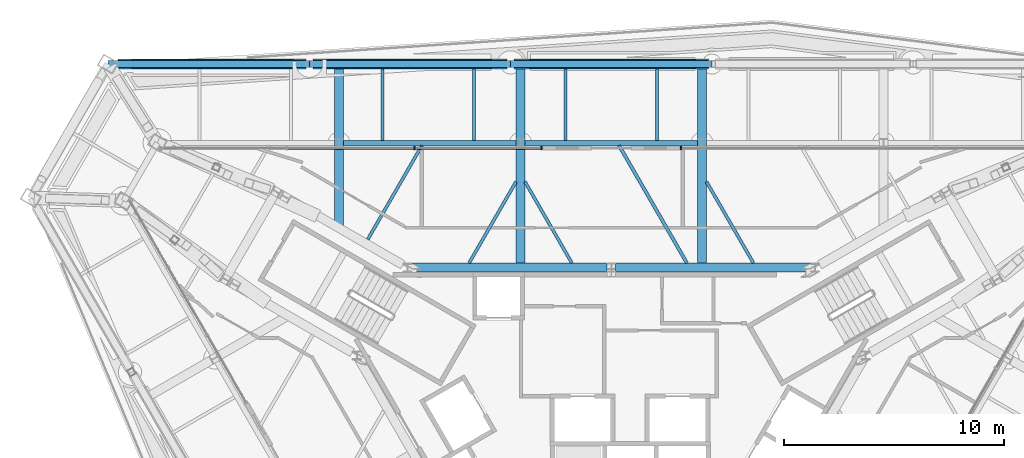
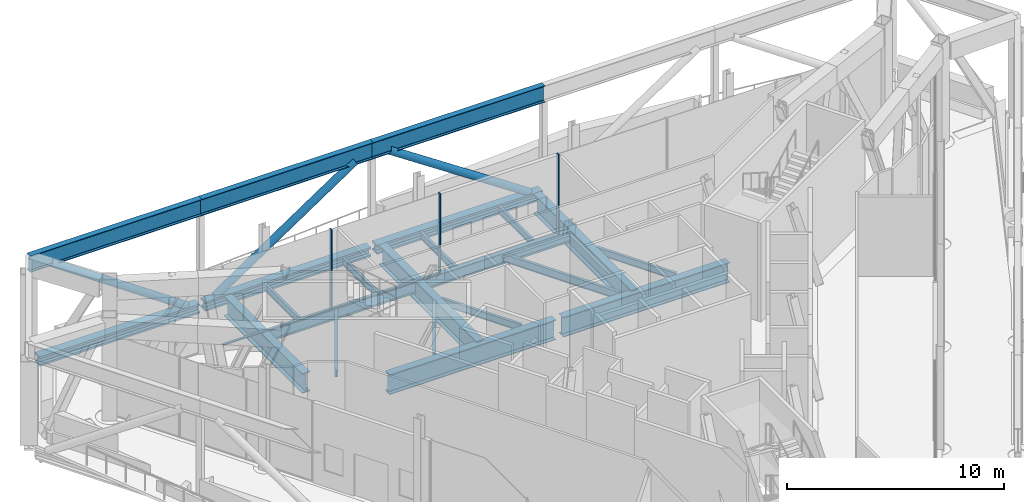
# One storey, part 11 of 25: 22 beams, 8 members, 2 elements without a shape of their own.
"""IFC4 building model written with IfcOpenShell, lengths in metres."""

from ifc_helpers import new_model, si_unit, direction, frame, origin, origin_2d, place, context, subcontext, project, spatial, rectangle, hollow_circle, i_section, extrude, material, material_profile, profile_set, type_object, element, aggregate, save


model = new_model("IFC4")

# Units and contexts
model_context = context("Model", 3, precision=1e-05, world=origin(), true_north=direction((0.0, 1.0)))
body_context = subcontext(model_context, "Body", "Model", "MODEL_VIEW")
ifc_project = project(units=[si_unit("LENGTHUNIT", "METRE"), si_unit("AREAUNIT", "SQUARE_METRE"), si_unit("VOLUMEUNIT", "CUBIC_METRE"), si_unit("PLANEANGLEUNIT", "RADIAN"), si_unit("MASSUNIT", "GRAM", prefix="KILO")], contexts=[model_context])

# Site, building, storey
site_placement = place(None, origin())
site = spatial("IfcSite", under=ifc_project, at=site_placement, CompositionType="ELEMENT")
building_placement = place(site_placement, origin())
building = spatial("IfcBuilding", under=site, at=building_placement, Name="Verrane Prism Tower", CompositionType="ELEMENT")
storey_placement = place(building_placement, frame((0.0, 0.0, 258.199951171875)))
storey = spatial("IfcBuildingStorey", under=building, at=storey_placement, Name="L65", CompositionType="ELEMENT", Elevation=258.199951171875)

# Beams
ifc_material_1 = material(Name="Steel A992", Category="steel")
ifc_material_profile_1 = material_profile(ifc_material_1, i_section(OverallWidth=0.44189453125, OverallDepth=0.53076171875, WebThickness=0.06591796875, FlangeThickness=0.105712890625, FilletRadius=0.01513671875, at=origin_2d()), Name="W14x605")
ifc_profile_set_1 = profile_set([ifc_material_profile_1], Name="Steel A992")
beam_type_1 = type_object("IfcBeamType", Name="Belt truss chord W14x605", PredefinedType="BEAM", material=ifc_profile_set_1)
beam_1_placement = place(storey_placement, frame((4.41748046875, 17.22998046875, -0.424560546875), z_axis=(-1.0, 0.0, 0.0), x_axis=(0.0, -1.0, 0.0)))
element("IfcBeam", 1, at=beam_1_placement, inside=storey, type_object=beam_type_1, Name="Belt truss chord L65", PredefinedType="BEAM", context=body_context, shape_type="SweptSolid", body=[
    extrude(i_section(OverallWidth=0.44189453125, OverallDepth=0.53076171875, WebThickness=0.06591796875, FlangeThickness=0.105712890625, FilletRadius=0.01513671875, at=origin_2d()), origin(), (0.0, 0.0, 1.0), 8.8349609375),
])
beam_2_placement = place(storey_placement, frame((-4.722412109375, 17.22998046875, -0.424560546875), z_axis=(-1.0, 0.0, 0.0), x_axis=(0.0, -1.0, 0.0)))
element("IfcBeam", 2, at=beam_2_placement, inside=storey, type_object=beam_type_1, Name="Belt truss chord L65", PredefinedType="BEAM", context=body_context, shape_type="SweptSolid", body=[
    extrude(i_section(OverallWidth=0.44189453125, OverallDepth=0.53076171875, WebThickness=0.06591796875, FlangeThickness=0.105712890625, FilletRadius=0.01513671875, at=origin_2d()), origin(), (0.0, 0.0, 1.0), 8.8251953125),
])
beam_3_placement = place(storey_placement, frame((-13.852294921875, 17.22998046875, -0.424560546875), z_axis=(-1.0, 0.0, 0.0), x_axis=(0.0, -1.0, 0.0)))
element("IfcBeam", 3, at=beam_3_placement, inside=storey, type_object=beam_type_1, Name="Belt truss chord L65", PredefinedType="BEAM", context=body_context, shape_type="SweptSolid", body=[
    extrude(i_section(OverallWidth=0.44189453125, OverallDepth=0.53076171875, WebThickness=0.06591796875, FlangeThickness=0.105712890625, FilletRadius=0.01513671875, at=origin_2d()), origin(), (0.0, 0.0, 1.0), 8.52587890625),
])
ifc_material_2 = material(Name="Steel A992", Category="steel")
ifc_material_profile_2 = material_profile(ifc_material_2, i_section(OverallWidth=0.307373046875, OverallDepth=0.927001953125, WebThickness=0.01953125, FlangeThickness=0.031982421875, FilletRadius=0.01904296875, at=origin_2d()), Name="W36x194")
ifc_profile_set_2 = profile_set([ifc_material_profile_2], Name="Steel A992")
beam_type_2 = type_object("IfcBeamType", Name="Belt truss chord W36x194", PredefinedType="BEAM", material=ifc_profile_set_2)
beam_4_placement = place(storey_placement, frame((4.570068359375, 17.22998046875, 5.176513671875), z_axis=(-1.0, 0.0, 0.0), x_axis=(0.0, -1.0, 0.0)))
element("IfcBeam", 4, at=beam_4_placement, inside=storey, type_object=beam_type_2, Name="Belt truss chord L65", PredefinedType="BEAM", context=body_context, shape_type="SweptSolid", body=[
    extrude(i_section(OverallWidth=0.307373046875, OverallDepth=0.927001953125, WebThickness=0.01953125, FlangeThickness=0.031982421875, FilletRadius=0.01904296875, at=origin_2d()), origin(), (0.0, 0.0, 1.0), 9.14013671875),
])
beam_5_placement = place(storey_placement, frame((-4.570068359375, 17.22998046875, 5.176513671875), z_axis=(-1.0, 0.0, 0.0), x_axis=(0.0, -1.0, 0.0)))
element("IfcBeam", 5, at=beam_5_placement, inside=storey, type_object=beam_type_2, Name="Belt truss chord L65", PredefinedType="BEAM", context=body_context, shape_type="SweptSolid", body=[
    extrude(i_section(OverallWidth=0.307373046875, OverallDepth=0.927001953125, WebThickness=0.01953125, FlangeThickness=0.031982421875, FilletRadius=0.01904296875, at=origin_2d()), origin(), (0.0, 0.0, 1.0), 9.1298828125),
])
beam_6_placement = place(storey_placement, frame((-13.699951171875, 17.22998046875, 5.176513671875), z_axis=(-1.0, 0.0, 0.0), x_axis=(0.0, -1.0, 0.0)))
element("IfcBeam", 6, at=beam_6_placement, inside=storey, type_object=beam_type_2, Name="Belt truss chord L65", PredefinedType="BEAM", context=body_context, shape_type="SweptSolid", body=[
    extrude(i_section(OverallWidth=0.307373046875, OverallDepth=0.927001953125, WebThickness=0.01953125, FlangeThickness=0.031982421875, FilletRadius=0.01904296875, at=origin_2d()), origin(), (0.0, 0.0, 1.0), 9.14013671875),
])

# Members
ifc_material_3 = material(Name="Steel A500 Grade C", Category="steel")
ifc_material_profile_3 = material_profile(ifc_material_3, hollow_circle(Radius=0.203125, WallThickness=0.0126953125, at=origin_2d()), Name="HSS16.000x0.500")
ifc_profile_set_3 = profile_set([ifc_material_profile_3], Name="Steel A500 Grade C")
member_type_1 = type_object("IfcMemberType", Name="Belt truss diagonal HSS16.000x0.500", PredefinedType="BRACE", material=ifc_profile_set_3)
member_1_placement = place(storey_placement, frame((3.796875, 17.22998046875, -0.158935546875), z_axis=(-0.831673706035, 0.0, 0.555264663642), x_axis=(0.0, -1.0, 0.0)))
element("IfcMember", 7, at=member_1_placement, inside=storey, type_object=member_type_1, Name="Belt truss diagonal L65", PredefinedType="BRACE", context=body_context, shape_type="SweptSolid", body=[
    extrude(hollow_circle(Radius=0.203125, WallThickness=0.0126953125, at=origin_2d()), origin(), (0.0, 0.0, 1.0), 8.98095703125),
])
member_2_placement = place(storey_placement, frame((-12.92724609375, 17.22998046875, -0.158935546875), z_axis=(0.831363204579, 0.0, 0.555729450428), x_axis=(0.0, 1.0, 0.0)))
element("IfcMember", 8, at=member_2_placement, inside=storey, type_object=member_type_1, Name="Belt truss diagonal L65", PredefinedType="BRACE", context=body_context, shape_type="SweptSolid", body=[
    extrude(hollow_circle(Radius=0.203125, WallThickness=0.0126953125, at=origin_2d()), origin(), (0.0, 0.0, 1.0), 8.973388671875),
])
member_3_placement = place(storey_placement, frame((-14.46142578125, 17.22998046875, -0.158935546875), z_axis=(-0.823867815872, 0.0, 0.566781988043), x_axis=(0.0, -1.0, 0.0)))
element("IfcMember", 9, at=member_3_placement, inside=storey, type_object=member_type_1, Name="Belt truss diagonal L65", PredefinedType="BRACE", context=body_context, shape_type="SweptSolid", body=[
    extrude(hollow_circle(Radius=0.203125, WallThickness=0.0126953125, at=origin_2d()), origin(), (0.0, 0.0, 1.0), 8.798583984375),
])

# Beams
ifc_material_4 = material(Name="Steel A992", Category="steel")
ifc_material_profile_4 = material_profile(ifc_material_4, i_section(OverallWidth=0.140380859375, OverallDepth=0.40380859375, WebThickness=0.007080078125, FlangeThickness=0.01123046875, FilletRadius=0.01025390625, at=origin_2d()), Name="W16x31")
ifc_profile_set_4 = profile_set([ifc_material_profile_4], Name="Steel A992")
beam_type_3 = type_object("IfcBeamType", Name="Floor beam W16x31", PredefinedType="BEAM", material=ifc_profile_set_4)
for number, where, z_axis, x_axis, name in (
    (10, (2.076416015625, 13.764892578125, -0.36181640625), (0.0, 1.0, 0.0), (-1.0, 0.0, 0.0), "Floor beam L65"),
    (11, (-2.076416015625, 13.764892578125, -0.36181640625), (0.0, 1.0, 0.0), (-1.0, 0.0, 0.0), "Floor beam L65"),
    (12, (-6.22900390625, 13.764892578125, -0.36181640625), (0.0, 1.0, 0.0), (-1.0, 0.0, 0.0), "Floor beam L65"),
    (13, (-10.3818359375, 13.764892578125, -0.36181640625), (0.0, 1.0, 0.0), (-1.0, 0.0, 0.0), "Floor beam L65"),
):
    element("IfcBeam", number, at=place(storey_placement, frame(where, z_axis=z_axis, x_axis=x_axis)), inside=storey, type_object=beam_type_3, Name=name, PredefinedType="BEAM", context=body_context, shape_type="SweptSolid", body=[
        extrude(i_section(OverallWidth=0.140380859375, OverallDepth=0.40380859375, WebThickness=0.007080078125, FlangeThickness=0.01123046875, FilletRadius=0.01025390625, at=origin_2d()), origin(), (0.0, 0.0, 1.0), 3.244140625),
    ])
for number, where, z_axis, x_axis, name in (
    (14, (6.45166015625, 8.201904296875, -0.36181640625), (-0.499967219171, 0.866044328978, 0.0), (-0.866044328978, -0.499967219171, 0.0), "Floor beam L65"),
    (15, (-1.788330078125, 8.201904296875, -0.36181640625), (-0.499967219171, 0.866044328978, 0.0), (-0.866044328978, -0.499967219171, 0.0), "Floor beam L65"),
    (16, (-6.45166015625, 8.201904296875, -0.36181640625), (0.499967219171, 0.866044328978, 0.0), (-0.866044328978, 0.499967219171, 0.0), "Floor beam L65"),
):
    element("IfcBeam", number, at=place(storey_placement, frame(where, z_axis=z_axis, x_axis=x_axis)), inside=storey, type_object=beam_type_3, Name=name, PredefinedType="BEAM", context=body_context, shape_type="SweptSolid", body=[
        extrude(i_section(OverallWidth=0.140380859375, OverallDepth=0.40380859375, WebThickness=0.007080078125, FlangeThickness=0.01123046875, FilletRadius=0.01025390625, at=origin_2d()), origin(), (0.0, 0.0, 1.0), 4.259521484375),
    ])
beam_7_placement = place(storey_placement, frame((-11.054931640625, 9.269775390625, -0.36181640625), z_axis=(0.500025682568, 0.866010575439, 0.0), x_axis=(-0.866010575439, 0.500025682568, 0.0)))
element("IfcBeam", 17, at=beam_7_placement, inside=storey, type_object=beam_type_3, Name="Floor beam L65", PredefinedType="BEAM", context=body_context, shape_type="SweptSolid", body=[
    extrude(i_section(OverallWidth=0.140380859375, OverallDepth=0.40380859375, WebThickness=0.007080078125, FlangeThickness=0.01123046875, FilletRadius=0.01025390625, at=origin_2d()), origin(), (0.0, 0.0, 1.0), 4.925048828125),
])
ifc_material_5 = material(Name="Steel A992", Category="steel")
ifc_material_profile_5 = material_profile(ifc_material_5, i_section(OverallWidth=0.15234375, OverallDepth=0.449462890625, WebThickness=0.007568359375, FlangeThickness=0.0107421875, FilletRadius=0.01025390625, at=origin_2d()), Name="W18x35")
ifc_profile_set_5 = profile_set([ifc_material_profile_5], Name="Steel A992")
beam_type_4 = type_object("IfcBeamType", Name="Floor beam W18x35", PredefinedType="BEAM", material=ifc_profile_set_5)
beam_8_placement = place(storey_placement, frame((3.431396484375, 8.201904296875, -0.384765625), z_axis=(-0.500010725686, 0.866019211218, 0.0), x_axis=(-0.866019211218, -0.500010725686, 0.0)))
element("IfcBeam", 18, at=beam_8_placement, inside=storey, type_object=beam_type_4, Name="Floor beam L65", PredefinedType="BEAM", context=body_context, shape_type="SweptSolid", body=[
    extrude(i_section(OverallWidth=0.15234375, OverallDepth=0.449462890625, WebThickness=0.007568359375, FlangeThickness=0.0107421875, FilletRadius=0.01025390625, at=origin_2d()), origin(), (0.0, 0.0, 1.0), 6.157958984375),
])

# Curtain wall, member
ifc_material_6 = material(Name="Aluminium framed insulated glazing", Category="aluminium")
curtain_wall_type = type_object("IfcCurtainWallType", Name="Curtain wall CW-B 5600 module", PredefinedType="NOTDEFINED", material=ifc_material_6)
curtain_wall_1_placement = place(storey_placement, origin())
curtain_wall_1 = element("IfcCurtainWall", 19, at=curtain_wall_1_placement, inside=storey, type_object=curtain_wall_type, Name="Refuge lounge glazing north face L65 1", PredefinedType="NOTDEFINED")
ifc_material_7 = material(Name="Aluminium alloy 6063-T6", Category="aluminium")
ifc_material_profile_6 = material_profile(ifc_material_7, rectangle(XDim=0.159912109375, YDim=0.06005859375, at=origin_2d()), Name="Mullion 60x160 aluminium")
ifc_profile_set_6 = profile_set([ifc_material_profile_6], Name="Aluminium alloy 6063-T6")
member_type_2 = type_object("IfcMemberType", Name="Mullion 60x160 aluminium", PredefinedType="MULLION", material=ifc_profile_set_6)
member_4_placement = place(storey_placement, frame((3.159912109375, 13.421875, 0.0), z_axis=(0.0, 0.0, 1.0), x_axis=(0.0, -1.0, 0.0)))
member_4 = element("IfcMember", 20, at=member_4_placement, type_object=member_type_2, Name="CW65.2.1 mullion 4", PredefinedType="MULLION", context=body_context, shape_type="SweptSolid", body=[
    extrude(rectangle(XDim=0.159912109375, YDim=0.06005859375, at=origin_2d()), origin(), (0.0, 0.0, 1.0), 4.5224609375),
])
aggregate(curtain_wall_1, [member_4])

# Curtain wall, members
curtain_wall_2_placement = place(storey_placement, origin())
curtain_wall_2 = element("IfcCurtainWall", 21, at=curtain_wall_2_placement, inside=storey, type_object=curtain_wall_type, Name="Refuge lounge glazing north face L65 2", PredefinedType="NOTDEFINED")
member_5_placement = place(storey_placement, frame((-3.159912109375, 13.421875, 0.0), z_axis=(0.0, 0.0, 1.0), x_axis=(0.0, -1.0, 0.0)))
member_5 = element("IfcMember", 22, at=member_5_placement, type_object=member_type_2, Name="CW65.2.2 mullion 1", PredefinedType="MULLION", context=body_context, shape_type="SweptSolid", body=[
    extrude(rectangle(XDim=0.159912109375, YDim=0.06005859375, at=origin_2d()), origin(), (0.0, 0.0, 1.0), 4.5224609375),
])
member_6_placement = place(storey_placement, frame((-8.930419921875, 13.421875, 0.0), z_axis=(0.0, 0.0, 1.0), x_axis=(0.0, -1.0, 0.0)))
member_6 = element("IfcMember", 23, at=member_6_placement, type_object=member_type_2, Name="CW65.2.2 mullion 2", PredefinedType="MULLION", context=body_context, shape_type="SweptSolid", body=[
    extrude(rectangle(XDim=0.159912109375, YDim=0.06005859375, at=origin_2d()), origin(), (0.0, 0.0, 1.0), 4.5224609375),
])

# Beams
ifc_material_8 = material(Name="Steel A992", Category="steel")
ifc_material_profile_7 = material_profile(ifc_material_8, i_section(OverallWidth=0.23046875, OverallDepth=0.6171875, WebThickness=0.01318359375, FlangeThickness=0.022216796875, FilletRadius=0.012939453125, at=origin_2d()), Name="W24x94")
ifc_profile_set_7 = profile_set([ifc_material_profile_7], Name="Steel A992")
beam_type_5 = type_object("IfcBeamType", Name="Spandrel beam W24x94", PredefinedType="SPANDREL", material=ifc_profile_set_7)
for number, where, z_axis, x_axis, name in (
    (24, (3.923095703125, 13.64990234375, -0.468505859375), (-1.0, 0.0, 0.0), (0.0, -1.0, 0.0), "Spandrel beam L65"),
    (25, (-4.31689453125, 13.64990234375, -0.468505859375), (-1.0, 0.0, 0.0), (0.0, -1.0, 0.0), "Spandrel beam L65"),
):
    element("IfcBeam", number, at=place(storey_placement, frame(where, z_axis=z_axis, x_axis=x_axis)), inside=storey, type_object=beam_type_5, Name=name, PredefinedType="SPANDREL", context=body_context, shape_type="SweptSolid", body=[
        extrude(i_section(OverallWidth=0.23046875, OverallDepth=0.6171875, WebThickness=0.01318359375, FlangeThickness=0.022216796875, FilletRadius=0.012939453125, at=origin_2d()), origin(), (0.0, 0.0, 1.0), 7.84619140625),
    ])
ifc_material_9 = material(Name="Steel A992", Category="steel")
ifc_material_profile_8 = material_profile(ifc_material_9, i_section(OverallWidth=0.40380859375, OverallDepth=1.11767578125, WebThickness=0.026123046875, FlangeThickness=0.044921875, FilletRadius=0.02001953125, at=origin_2d()), Name="W44x335")
ifc_profile_set_8 = profile_set([ifc_material_profile_8], Name="Steel A992")
beam_type_6 = type_object("IfcBeamType", Name="Transfer girder W44x335", PredefinedType="BEAM", material=ifc_profile_set_8)
for number, where, z_axis, x_axis, name in (
    (26, (9.060546875, 8.0, -0.808837890625), (-1.0, 0.0, 0.0), (0.0, -1.0, 0.0), "Transfer girder L65"),
    (27, (-0.199462890625, 8.0, -0.808837890625), (-1.0, 0.0, 0.0), (0.0, -1.0, 0.0), "Transfer girder L65"),
):
    element("IfcBeam", number, at=place(storey_placement, frame(where, z_axis=z_axis, x_axis=x_axis)), inside=storey, type_object=beam_type_6, Name=name, PredefinedType="BEAM", context=body_context, shape_type="SweptSolid", body=[
        extrude(i_section(OverallWidth=0.40380859375, OverallDepth=1.11767578125, WebThickness=0.026123046875, FlangeThickness=0.044921875, FilletRadius=0.02001953125, at=origin_2d()), origin(), (0.0, 0.0, 1.0), 8.861083984375),
    ])
for number, where, z_axis, x_axis, name in (
    (28, (4.1201171875, 17.009033203125, -0.71875), (0.0, -1.0, 0.0), (1.0, 0.0, 0.0), "Transfer girder L65"),
    (29, (-4.1201171875, 17.009033203125, -0.71875), (0.0, -1.0, 0.0), (1.0, 0.0, 0.0), "Transfer girder L65"),
):
    element("IfcBeam", number, at=place(storey_placement, frame(where, z_axis=z_axis, x_axis=x_axis)), inside=storey, type_object=beam_type_6, Name=name, PredefinedType="BEAM", context=body_context, shape_type="SweptSolid", body=[
        extrude(i_section(OverallWidth=0.40380859375, OverallDepth=1.11767578125, WebThickness=0.026123046875, FlangeThickness=0.044921875, FilletRadius=0.02001953125, at=origin_2d()), origin(), (0.0, 0.0, 1.0), 9.009033203125),
    ])
beam_9_placement = place(storey_placement, frame((-12.360107421875, 17.009033203125, -0.71875), z_axis=(0.0, -1.0, 0.0), x_axis=(1.0, 0.0, 0.0)))
element("IfcBeam", 30, at=beam_9_placement, inside=storey, type_object=beam_type_6, Name="Transfer girder L65", PredefinedType="BEAM", context=body_context, shape_type="SweptSolid", body=[
    extrude(i_section(OverallWidth=0.40380859375, OverallDepth=1.11767578125, WebThickness=0.026123046875, FlangeThickness=0.044921875, FilletRadius=0.02001953125, at=origin_2d()), origin(), (0.0, 0.0, 1.0), 7.2197265625),
])

# Member
ifc_material_10 = material(Name="Aluminium alloy 6063-T6", Category="aluminium")
ifc_material_profile_9 = material_profile(ifc_material_10, rectangle(XDim=0.1201171875, YDim=0.06005859375, at=origin_2d()), Name="Transom 60x120 aluminium")
ifc_profile_set_9 = profile_set([ifc_material_profile_9], Name="Aluminium alloy 6063-T6")
member_type_3 = type_object("IfcMemberType", Name="Transom 60x120 aluminium", PredefinedType="USERDEFINED", material=ifc_profile_set_9)
member_7_placement = place(storey_placement, frame((-3.18994140625, 13.421875, 0.030029296875), z_axis=(-1.0, 0.0, 0.0), x_axis=(0.0, -1.0, 0.0)))
member_7 = element("IfcMember", 31, at=member_7_placement, type_object=member_type_3, Name="CW65.2.2 transom 1", ObjectType="TRANSOM", PredefinedType="USERDEFINED", context=body_context, shape_type="SweptSolid", body=[
    extrude(rectangle(XDim=0.1201171875, YDim=0.06005859375, at=origin_2d()), origin(), (0.0, 0.0, 1.0), 5.71044921875),
])

member_8_placement = place(storey_placement, frame((-8.96044921875, 13.421875, 0.030029296875), z_axis=(-1.0, 0.0, 0.0), x_axis=(0.0, -1.0, 0.0)))
member_8 = element("IfcMember", 32, at=member_8_placement, type_object=member_type_3, Name="CW65.2.2 transom 2", ObjectType="TRANSOM", PredefinedType="USERDEFINED", context=body_context, shape_type="SweptSolid", body=[
    extrude(rectangle(XDim=0.1201171875, YDim=0.06005859375, at=origin_2d()), origin(), (0.0, 0.0, 1.0), 5.740478515625),
])

aggregate(curtain_wall_2, [member_5, member_6, member_7, member_8])

save(model, "model.ifc")
